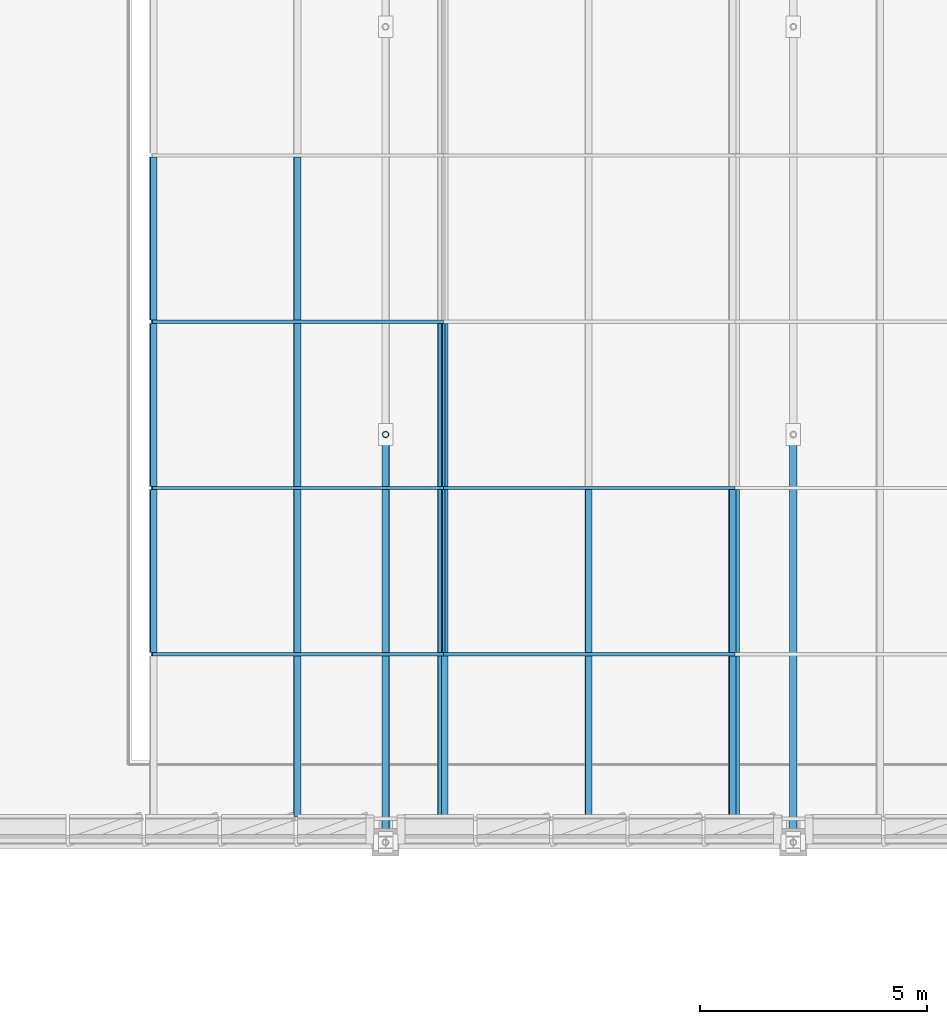
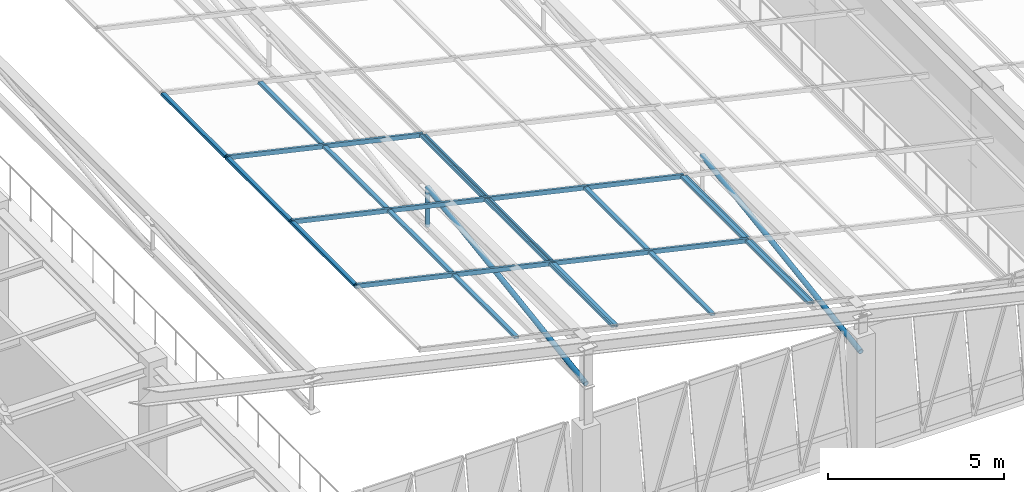
# One storey, part 63 of 130: 27 members, 3 elements without a shape of their own.
"""IFC4 building model written with IfcOpenShell, lengths in metres."""

from ifc_helpers import new_model, si_unit, direction, frame, origin, origin_2d, place, context, subcontext, project, spatial, hollow_rectangle, hollow_circle, extrude, material, material_profile, profile_set, type_object, element, aggregate, save


model = new_model("IFC4")

# Units and contexts
model_context = context("Model", 3, precision=1e-05, world=origin(), true_north=direction((0.0, 1.0)))
body_context = subcontext(model_context, "Body", "Model", "MODEL_VIEW")
ifc_project = project(units=[si_unit("LENGTHUNIT", "METRE"), si_unit("AREAUNIT", "SQUARE_METRE"), si_unit("VOLUMEUNIT", "CUBIC_METRE"), si_unit("PLANEANGLEUNIT", "RADIAN"), si_unit("MASSUNIT", "GRAM", prefix="KILO")], contexts=[model_context])

# Site, building, storey
site_placement = place(None, origin())
site = spatial("IfcSite", under=ifc_project, at=site_placement, CompositionType="ELEMENT")
building_placement = place(site_placement, origin())
building = spatial("IfcBuilding", under=site, at=building_placement, Name="Lykobir Media Centre", CompositionType="ELEMENT")
storey_placement = place(building_placement, frame((0.0, 0.0, 19.199951171875)))
storey = spatial("IfcBuildingStorey", under=building, at=storey_placement, Name="L04", CompositionType="ELEMENT", Elevation=19.199951171875)

# Members
ifc_material_1 = material(Name="Steel S355", Category="steel")
ifc_material_profile_1 = material_profile(ifc_material_1, hollow_circle(Radius=0.06982421875, WallThickness=0.008056640625, at=origin_2d()), Name="CHS 139.7x8.0")
ifc_profile_set_1 = profile_set([ifc_material_profile_1], Name="Steel S355")
member_type_1 = type_object("IfcMemberType", Name="BR-CHS140", PredefinedType="BRACE", material=ifc_profile_set_1)
member_1_placement = place(storey_placement, frame((54.0, 72.0, 6.860107421875), z_axis=(0.0, 0.0, -1.0), x_axis=(1.0, 0.0, 0.0)))
element("IfcMember", 1, at=member_1_placement, inside=storey, type_object=member_type_1, Name="Diagonal brace MEM2-L04-0540-0720-0261-0540-0720-0461", PredefinedType="BRACE", context=body_context, shape_type="SweptSolid", body=[
    extrude(hollow_circle(Radius=0.06982421875, WallThickness=0.008056640625, at=origin_2d()), origin(), (0.0, 0.0, 1.0), 1.35009765625),
])
ifc_material_profile_2 = material_profile(ifc_material_1, hollow_circle(Radius=0.084228515625, WallThickness=0.010009765625, at=origin_2d()), Name="CHS 168.3x10.0")
ifc_profile_set_2 = profile_set([ifc_material_profile_2], Name="Steel S355")
member_type_2 = type_object("IfcMemberType", Name="BR-CHS168", PredefinedType="BRACE", material=ifc_profile_set_2)
for number, where, z_axis, x_axis, name in (
    (2, (54.0, 63.0, 5.510009765625), (0.0, 0.988934778637, 0.148350947425), (-1.0, 0.0, 0.0), "Diagonal brace MEM2-L04-0540-0630-0247-0540-0720-0460"),
    (3, (63.0, 63.0, 3.469970703125), (0.0, 0.988934778637, 0.148350947425), (-1.0, 0.0, 0.0), "Diagonal brace MEM2-L04-0630-0630-0227-0630-0720-0473"),
):
    element("IfcMember", number, at=place(storey_placement, frame(where, z_axis=z_axis, x_axis=x_axis)), inside=storey, type_object=member_type_2, Name=name, PredefinedType="BRACE", context=body_context, shape_type="SweptSolid", body=[
        extrude(hollow_circle(Radius=0.084228515625, WallThickness=0.010009765625, at=origin_2d()), origin(), (0.0, 0.0, 1.0), 9.1005859375),
    ])

# Curtain wall, members
ifc_material_2 = material(Name="Anodized Aluminium AW-6060", Category="aluminium")
curtain_wall_type = type_object("IfcCurtainWallType", Name="CW-V6-SKY", PredefinedType="NOTDEFINED", material=ifc_material_2)
curtain_wall_1_placement = place(storey_placement, origin())
curtain_wall_1 = element("IfcCurtainWall", 4, at=curtain_wall_1_placement, inside=storey, type_object=curtain_wall_type, Name="Curtain wall CW-V6-SKY03", PredefinedType="NOTDEFINED")
ifc_material_profile_3 = material_profile(ifc_material_2, hollow_rectangle(XDim=0.074951171875, YDim=0.14990234375, WallThickness=0.00341796875, at=origin_2d()), Name="ALU TRANSOM 75x150")
ifc_profile_set_3 = profile_set([ifc_material_profile_3], Name="Anodized Aluminium AW-6060")
member_type_3 = type_object("IfcMemberType", Name="CWT-150", PredefinedType="USERDEFINED", material=ifc_profile_set_3)
member_2_placement = place(storey_placement, frame((61.728515625, 70.782470703125, 5.2646484375), z_axis=(0.0, -1.0, 0.0), x_axis=(0.221054901821, 0.0, 0.975261365164)))
member_2 = element("IfcMember", 5, at=member_2_placement, type_object=member_type_3, Name="CW-V6-SKY03 transom 11.3", ObjectType="TRANSOM", PredefinedType="USERDEFINED", context=body_context, shape_type="SweptSolid", body=[
    extrude(hollow_rectangle(XDim=0.074951171875, YDim=0.14990234375, WallThickness=0.00341796875, at=origin_2d()), origin(), (0.0, 0.0, 1.0), 3.594970703125),
])
member_3_placement = place(storey_placement, frame((61.728515625, 67.112548828125, 5.2646484375), z_axis=(0.0, -1.0, 0.0), x_axis=(0.221054901821, 0.0, 0.975261365164)))
member_3 = element("IfcMember", 6, at=member_3_placement, type_object=member_type_3, Name="CW-V6-SKY03 transom 12.3", ObjectType="TRANSOM", PredefinedType="USERDEFINED", context=body_context, shape_type="SweptSolid", body=[
    extrude(hollow_rectangle(XDim=0.074951171875, YDim=0.14990234375, WallThickness=0.00341796875, at=origin_2d()), origin(), (0.0, 0.0, 1.0), 3.5576171875),
])
aggregate(curtain_wall_1, [member_2, member_3])

curtain_wall_2_placement = place(storey_placement, origin())
curtain_wall_2 = element("IfcCurtainWall", 7, at=curtain_wall_2_placement, inside=storey, type_object=curtain_wall_type, Name="Curtain wall CW-V6-SKY04", PredefinedType="NOTDEFINED")
member_4_placement = place(storey_placement, frame((61.69189453125, 70.820068359375, 5.27294921875), z_axis=(-0.975255318588, 0.0, 0.221081576721), x_axis=(0.0, -1.0, 0.0)))
member_4 = element("IfcMember", 8, at=member_4_placement, type_object=member_type_3, Name="CW-V6-SKY04 rafter transom 11", ObjectType="TRANSOM", PredefinedType="USERDEFINED", context=body_context, shape_type="SweptSolid", body=[
    extrude(hollow_rectangle(XDim=0.074951171875, YDim=0.14990234375, WallThickness=0.00341796875, at=origin_2d()), origin(), (0.0, 0.0, 1.0), 6.591552734375),
])
member_5_placement = place(storey_placement, frame((61.69189453125, 67.14990234375, 5.27294921875), z_axis=(-0.975255318588, 0.0, 0.221081576721), x_axis=(0.0, -1.0, 0.0)))
member_5 = element("IfcMember", 9, at=member_5_placement, type_object=member_type_3, Name="CW-V6-SKY04 rafter transom 12", ObjectType="TRANSOM", PredefinedType="USERDEFINED", context=body_context, shape_type="SweptSolid", body=[
    extrude(hollow_rectangle(XDim=0.074951171875, YDim=0.14990234375, WallThickness=0.00341796875, at=origin_2d()), origin(), (0.0, 0.0, 1.0), 6.591552734375),
])
member_6_placement = place(storey_placement, frame((55.300048828125, 74.452392578125, 6.721923828125), z_axis=(0.0, -1.0, 0.0), x_axis=(0.221071923309, 0.0, 0.975257506879)))
member_6 = element("IfcMember", 10, at=member_6_placement, type_object=member_type_3, Name="CW-V6-SKY04 transom 10.3", ObjectType="TRANSOM", PredefinedType="USERDEFINED", context=body_context, shape_type="SweptSolid", body=[
    extrude(hollow_rectangle(XDim=0.074951171875, YDim=0.14990234375, WallThickness=0.00341796875, at=origin_2d()), origin(), (0.0, 0.0, 1.0), 3.594970703125),
])
member_7_placement = place(storey_placement, frame((61.655517578125, 70.782470703125, 5.28125), z_axis=(0.0, -1.0, 0.0), x_axis=(0.221071923309, 0.0, 0.975257506879)))
member_7 = element("IfcMember", 11, at=member_7_placement, type_object=member_type_3, Name="CW-V6-SKY04 transom 11.1", ObjectType="TRANSOM", PredefinedType="USERDEFINED", context=body_context, shape_type="SweptSolid", body=[
    extrude(hollow_rectangle(XDim=0.074951171875, YDim=0.14990234375, WallThickness=0.00341796875, at=origin_2d()), origin(), (0.0, 0.0, 1.0), 3.594970703125),
])
member_8_placement = place(storey_placement, frame((58.477783203125, 70.782470703125, 6.00146484375), z_axis=(0.0, -1.0, 0.0), x_axis=(0.221071923309, 0.0, 0.975257506879)))
member_8 = element("IfcMember", 12, at=member_8_placement, type_object=member_type_3, Name="CW-V6-SKY04 transom 11.2", ObjectType="TRANSOM", PredefinedType="USERDEFINED", context=body_context, shape_type="SweptSolid", body=[
    extrude(hollow_rectangle(XDim=0.074951171875, YDim=0.14990234375, WallThickness=0.00341796875, at=origin_2d()), origin(), (0.0, 0.0, 1.0), 3.594970703125),
])
member_9_placement = place(storey_placement, frame((55.300048828125, 70.782470703125, 6.721923828125), z_axis=(0.0, -1.0, 0.0), x_axis=(0.221071923309, 0.0, 0.975257506879)))
member_9 = element("IfcMember", 13, at=member_9_placement, type_object=member_type_3, Name="CW-V6-SKY04 transom 11.3", ObjectType="TRANSOM", PredefinedType="USERDEFINED", context=body_context, shape_type="SweptSolid", body=[
    extrude(hollow_rectangle(XDim=0.074951171875, YDim=0.14990234375, WallThickness=0.00341796875, at=origin_2d()), origin(), (0.0, 0.0, 1.0), 3.594970703125),
])
member_10_placement = place(storey_placement, frame((61.655517578125, 67.112548828125, 5.28125), z_axis=(0.0, -1.0, 0.0), x_axis=(0.221071923309, 0.0, 0.975257506879)))
member_10 = element("IfcMember", 14, at=member_10_placement, type_object=member_type_3, Name="CW-V6-SKY04 transom 12.1", ObjectType="TRANSOM", PredefinedType="USERDEFINED", context=body_context, shape_type="SweptSolid", body=[
    extrude(hollow_rectangle(XDim=0.074951171875, YDim=0.14990234375, WallThickness=0.00341796875, at=origin_2d()), origin(), (0.0, 0.0, 1.0), 3.5576171875),
])
member_11_placement = place(storey_placement, frame((58.477783203125, 67.112548828125, 6.00146484375), z_axis=(0.0, -1.0, 0.0), x_axis=(0.221071923309, 0.0, 0.975257506879)))
member_11 = element("IfcMember", 15, at=member_11_placement, type_object=member_type_3, Name="CW-V6-SKY04 transom 12.2", ObjectType="TRANSOM", PredefinedType="USERDEFINED", context=body_context, shape_type="SweptSolid", body=[
    extrude(hollow_rectangle(XDim=0.074951171875, YDim=0.14990234375, WallThickness=0.00341796875, at=origin_2d()), origin(), (0.0, 0.0, 1.0), 3.5576171875),
])
member_12_placement = place(storey_placement, frame((55.300048828125, 67.112548828125, 6.721923828125), z_axis=(0.0, -1.0, 0.0), x_axis=(0.221071923309, 0.0, 0.975257506879)))
member_12 = element("IfcMember", 16, at=member_12_placement, type_object=member_type_3, Name="CW-V6-SKY04 transom 12.3", ObjectType="TRANSOM", PredefinedType="USERDEFINED", context=body_context, shape_type="SweptSolid", body=[
    extrude(hollow_rectangle(XDim=0.074951171875, YDim=0.14990234375, WallThickness=0.00341796875, at=origin_2d()), origin(), (0.0, 0.0, 1.0), 3.5576171875),
])
aggregate(curtain_wall_2, [member_4, member_5, member_6, member_7, member_8, member_9, member_10, member_11, member_12])

curtain_wall_3_placement = place(storey_placement, origin())
curtain_wall_3 = element("IfcCurtainWall", 17, at=curtain_wall_3_placement, inside=storey, type_object=curtain_wall_type, Name="Curtain wall CW-V6-SKY05", PredefinedType="NOTDEFINED")
member_13_placement = place(storey_placement, frame((55.263427734375, 74.489990234375, 6.730224609375), z_axis=(-0.97526330388, 0.0, 0.221046348318), x_axis=(0.0, -1.0, 0.0)))
member_13 = element("IfcMember", 18, at=member_13_placement, type_object=member_type_3, Name="CW-V6-SKY05 rafter transom 10", ObjectType="TRANSOM", PredefinedType="USERDEFINED", context=body_context, shape_type="SweptSolid", body=[
    extrude(hollow_rectangle(XDim=0.074951171875, YDim=0.14990234375, WallThickness=0.00341796875, at=origin_2d()), origin(), (0.0, 0.0, 1.0), 6.591552734375),
])
member_14_placement = place(storey_placement, frame((55.263427734375, 70.820068359375, 6.730224609375), z_axis=(-0.97526330388, 0.0, 0.221046348318), x_axis=(0.0, -1.0, 0.0)))
member_14 = element("IfcMember", 19, at=member_14_placement, type_object=member_type_3, Name="CW-V6-SKY05 rafter transom 11", ObjectType="TRANSOM", PredefinedType="USERDEFINED", context=body_context, shape_type="SweptSolid", body=[
    extrude(hollow_rectangle(XDim=0.074951171875, YDim=0.14990234375, WallThickness=0.00341796875, at=origin_2d()), origin(), (0.0, 0.0, 1.0), 6.591552734375),
])
member_15_placement = place(storey_placement, frame((55.263427734375, 67.14990234375, 6.730224609375), z_axis=(-0.97526330388, 0.0, 0.221046348318), x_axis=(0.0, -1.0, 0.0)))
member_15 = element("IfcMember", 20, at=member_15_placement, type_object=member_type_3, Name="CW-V6-SKY05 rafter transom 12", ObjectType="TRANSOM", PredefinedType="USERDEFINED", context=body_context, shape_type="SweptSolid", body=[
    extrude(hollow_rectangle(XDim=0.074951171875, YDim=0.14990234375, WallThickness=0.00341796875, at=origin_2d()), origin(), (0.0, 0.0, 1.0), 6.591552734375),
])
member_16_placement = place(storey_placement, frame((52.049072265625, 78.12255859375, 7.458740234375), z_axis=(0.0, -1.0, 0.0), x_axis=(0.221054901821, 0.0, 0.975261365164)))
member_16 = element("IfcMember", 21, at=member_16_placement, type_object=member_type_3, Name="CW-V6-SKY05 transom 9.2", ObjectType="TRANSOM", PredefinedType="USERDEFINED", context=body_context, shape_type="SweptSolid", body=[
    extrude(hollow_rectangle(XDim=0.074951171875, YDim=0.14990234375, WallThickness=0.00341796875, at=origin_2d()), origin(), (0.0, 0.0, 1.0), 3.594970703125),
])
member_17_placement = place(storey_placement, frame((48.871337890625, 78.12255859375, 8.178955078125), z_axis=(0.0, -1.0, 0.0), x_axis=(0.221054901821, 0.0, 0.975261365164)))
member_17 = element("IfcMember", 22, at=member_17_placement, type_object=member_type_3, Name="CW-V6-SKY05 transom 9.3", ObjectType="TRANSOM", PredefinedType="USERDEFINED", context=body_context, shape_type="SweptSolid", body=[
    extrude(hollow_rectangle(XDim=0.074951171875, YDim=0.14990234375, WallThickness=0.00341796875, at=origin_2d()), origin(), (0.0, 0.0, 1.0), 3.594970703125),
])
member_18_placement = place(storey_placement, frame((55.226806640625, 74.452392578125, 6.738525390625), z_axis=(0.0, -1.0, 0.0), x_axis=(0.221054901821, 0.0, 0.975261365164)))
member_18 = element("IfcMember", 23, at=member_18_placement, type_object=member_type_3, Name="CW-V6-SKY05 transom 10.1", ObjectType="TRANSOM", PredefinedType="USERDEFINED", context=body_context, shape_type="SweptSolid", body=[
    extrude(hollow_rectangle(XDim=0.074951171875, YDim=0.14990234375, WallThickness=0.00341796875, at=origin_2d()), origin(), (0.0, 0.0, 1.0), 3.594970703125),
])
member_19_placement = place(storey_placement, frame((52.049072265625, 74.452392578125, 7.458740234375), z_axis=(0.0, -1.0, 0.0), x_axis=(0.221054901821, 0.0, 0.975261365164)))
member_19 = element("IfcMember", 24, at=member_19_placement, type_object=member_type_3, Name="CW-V6-SKY05 transom 10.2", ObjectType="TRANSOM", PredefinedType="USERDEFINED", context=body_context, shape_type="SweptSolid", body=[
    extrude(hollow_rectangle(XDim=0.074951171875, YDim=0.14990234375, WallThickness=0.00341796875, at=origin_2d()), origin(), (0.0, 0.0, 1.0), 3.594970703125),
])
member_20_placement = place(storey_placement, frame((48.871337890625, 74.452392578125, 8.178955078125), z_axis=(0.0, -1.0, 0.0), x_axis=(0.221054901821, 0.0, 0.975261365164)))
member_20 = element("IfcMember", 25, at=member_20_placement, type_object=member_type_3, Name="CW-V6-SKY05 transom 10.3", ObjectType="TRANSOM", PredefinedType="USERDEFINED", context=body_context, shape_type="SweptSolid", body=[
    extrude(hollow_rectangle(XDim=0.074951171875, YDim=0.14990234375, WallThickness=0.00341796875, at=origin_2d()), origin(), (0.0, 0.0, 1.0), 3.594970703125),
])
member_21_placement = place(storey_placement, frame((55.226806640625, 70.782470703125, 6.738525390625), z_axis=(0.0, -1.0, 0.0), x_axis=(0.221054901821, 0.0, 0.975261365164)))
member_21 = element("IfcMember", 26, at=member_21_placement, type_object=member_type_3, Name="CW-V6-SKY05 transom 11.1", ObjectType="TRANSOM", PredefinedType="USERDEFINED", context=body_context, shape_type="SweptSolid", body=[
    extrude(hollow_rectangle(XDim=0.074951171875, YDim=0.14990234375, WallThickness=0.00341796875, at=origin_2d()), origin(), (0.0, 0.0, 1.0), 3.594970703125),
])
member_22_placement = place(storey_placement, frame((52.049072265625, 70.782470703125, 7.458740234375), z_axis=(0.0, -1.0, 0.0), x_axis=(0.221054901821, 0.0, 0.975261365164)))
member_22 = element("IfcMember", 27, at=member_22_placement, type_object=member_type_3, Name="CW-V6-SKY05 transom 11.2", ObjectType="TRANSOM", PredefinedType="USERDEFINED", context=body_context, shape_type="SweptSolid", body=[
    extrude(hollow_rectangle(XDim=0.074951171875, YDim=0.14990234375, WallThickness=0.00341796875, at=origin_2d()), origin(), (0.0, 0.0, 1.0), 3.594970703125),
])
member_23_placement = place(storey_placement, frame((48.871337890625, 70.782470703125, 8.178955078125), z_axis=(0.0, -1.0, 0.0), x_axis=(0.221054901821, 0.0, 0.975261365164)))
member_23 = element("IfcMember", 28, at=member_23_placement, type_object=member_type_3, Name="CW-V6-SKY05 transom 11.3", ObjectType="TRANSOM", PredefinedType="USERDEFINED", context=body_context, shape_type="SweptSolid", body=[
    extrude(hollow_rectangle(XDim=0.074951171875, YDim=0.14990234375, WallThickness=0.00341796875, at=origin_2d()), origin(), (0.0, 0.0, 1.0), 3.594970703125),
])
member_24_placement = place(storey_placement, frame((55.226806640625, 67.112548828125, 6.738525390625), z_axis=(0.0, -1.0, 0.0), x_axis=(0.221054901821, 0.0, 0.975261365164)))
member_24 = element("IfcMember", 29, at=member_24_placement, type_object=member_type_3, Name="CW-V6-SKY05 transom 12.1", ObjectType="TRANSOM", PredefinedType="USERDEFINED", context=body_context, shape_type="SweptSolid", body=[
    extrude(hollow_rectangle(XDim=0.074951171875, YDim=0.14990234375, WallThickness=0.00341796875, at=origin_2d()), origin(), (0.0, 0.0, 1.0), 3.5576171875),
])
member_25_placement = place(storey_placement, frame((52.049072265625, 67.112548828125, 7.458740234375), z_axis=(0.0, -1.0, 0.0), x_axis=(0.221054901821, 0.0, 0.975261365164)))
member_25 = element("IfcMember", 30, at=member_25_placement, type_object=member_type_3, Name="CW-V6-SKY05 transom 12.2", ObjectType="TRANSOM", PredefinedType="USERDEFINED", context=body_context, shape_type="SweptSolid", body=[
    extrude(hollow_rectangle(XDim=0.074951171875, YDim=0.14990234375, WallThickness=0.00341796875, at=origin_2d()), origin(), (0.0, 0.0, 1.0), 3.5576171875),
])
aggregate(curtain_wall_3, [member_13, member_14, member_15, member_16, member_17, member_18, member_19, member_20, member_21, member_22, member_23, member_24, member_25])

save(model, "model.ifc")
